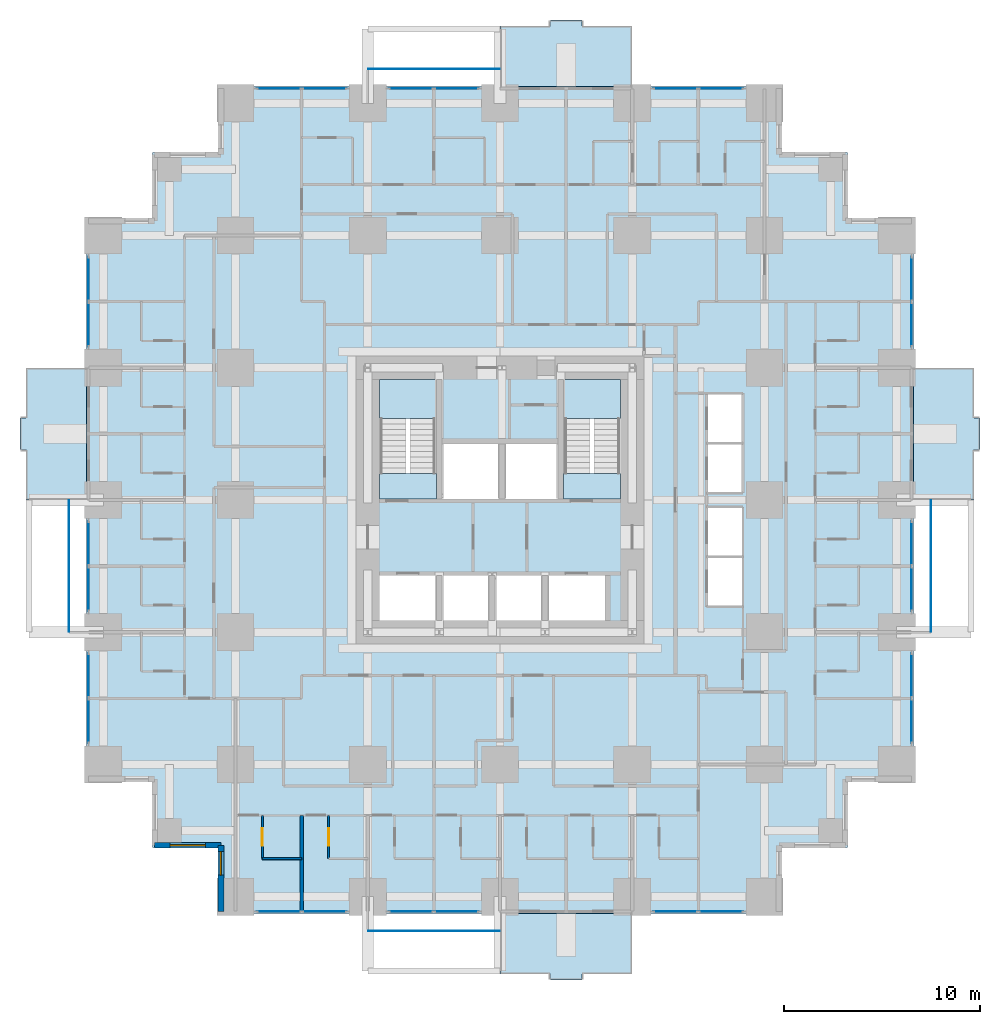
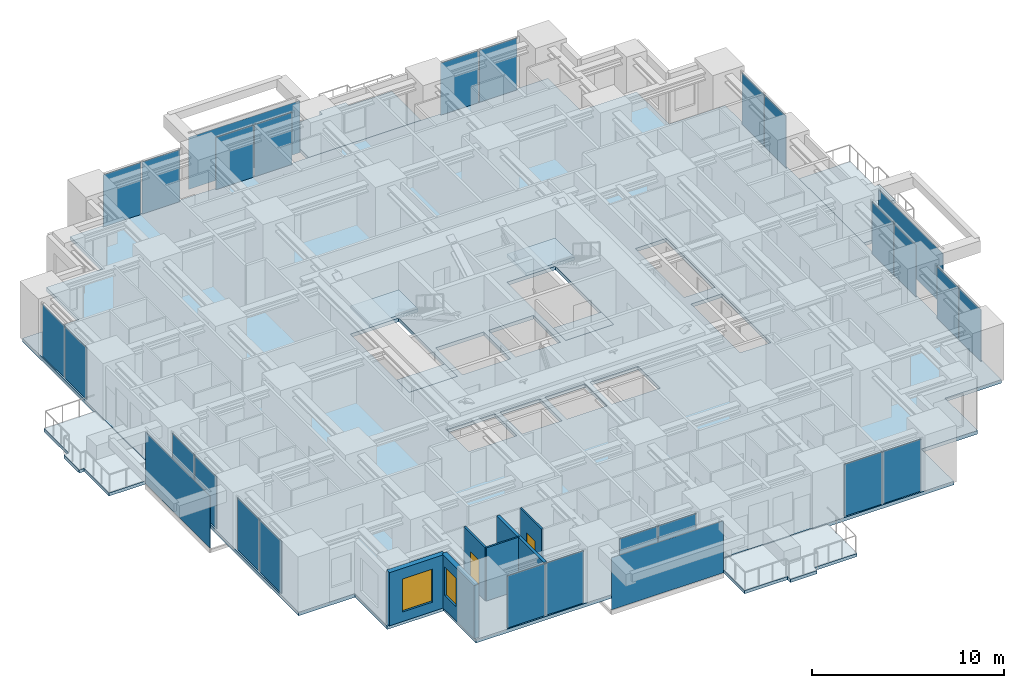
# One storey, part 7 of 15: 28 plates, 9 slabs, 6 walls, 2 doors, 2 windows, 4 openings, 14 elements without a shape of their own.
"""IFC4 building model written with IfcOpenShell, lengths in metres."""

from ifc_helpers import new_model, si_unit, direction, frame, frame_2d, origin, origin_2d, place, context, subcontext, project, spatial, polyline, rectangle, outline, extrude, material, layer, layer_set, type_object, element, fill, aggregate, save


model = new_model("IFC4")

# Units and contexts
model_context = context("Model", 3, precision=1e-05, world=origin(), true_north=direction((0.0, 1.0)))
body_context = subcontext(model_context, "Body", "Model", "MODEL_VIEW")
ifc_project = project(units=[si_unit("LENGTHUNIT", "METRE"), si_unit("AREAUNIT", "SQUARE_METRE"), si_unit("VOLUMEUNIT", "CUBIC_METRE"), si_unit("PLANEANGLEUNIT", "RADIAN"), si_unit("MASSUNIT", "GRAM", prefix="KILO")], contexts=[model_context])

# Site, building, storey
site_placement = place(None, origin())
site = spatial("IfcSite", under=ifc_project, at=site_placement, CompositionType="ELEMENT")
building_placement = place(site_placement, origin())
building = spatial("IfcBuilding", under=site, at=building_placement, Name="Nyansa Garden Tower", CompositionType="ELEMENT")
storey_placement = place(building_placement, frame((0.0, 0.0, 36.0)))
storey = spatial("IfcBuildingStorey", under=building, at=storey_placement, Name="L09", CompositionType="ELEMENT", Elevation=36.0)

# Slabs
ifc_material_1 = material(Name="Concrete C40/50", Category="concrete")
ifc_layer_1 = layer(ifc_material_1, 0.199951171875)
ifc_layer_set_1 = layer_set([ifc_layer_1], Name="Balcony slab BS200")
slab_type_1 = type_object("IfcSlabType", Name="Balcony slab BS200", PredefinedType="FLOOR", material=ifc_layer_set_1)
slab_1_placement = place(storey_placement, frame((0.0, 0.0, -0.239990234375)))
element("IfcSlab", 1, at=slab_1_placement, inside=storey, type_object=slab_type_1, Name="Balcony L09 S", PredefinedType="FLOOR", context=body_context, shape_type="SweptSolid", body=[
    extrude(outline(polyline([(20.25, -0.85009765625), (27.0, -0.85009765625), (27.0, -3.949951171875), (24.425048828125, -3.949951171875), (24.425048828125, -4.25), (22.824951171875, -4.25), (22.824951171875, -3.949951171875), (20.25, -3.949951171875), (20.25, -0.85009765625)])), origin(), (0.0, 0.0, 1.0), 0.199951171875),
])
slab_2_placement = place(storey_placement, frame((0.0, 0.0, -0.239990234375)))
element("IfcSlab", 2, at=slab_2_placement, inside=storey, type_object=slab_type_1, Name="Balcony L09 E", PredefinedType="FLOOR", context=body_context, shape_type="SweptSolid", body=[
    extrude(outline(polyline([(41.35009765625, 20.25), (41.35009765625, 27.0), (44.449951171875, 27.0), (44.449951171875, 24.425048828125), (44.75, 24.425048828125), (44.75, 22.824951171875), (44.449951171875, 22.824951171875), (44.449951171875, 20.25), (41.35009765625, 20.25)])), origin(), (0.0, 0.0, 1.0), 0.199951171875),
])
slab_3_placement = place(storey_placement, frame((0.0, 0.0, -0.239990234375)))
element("IfcSlab", 3, at=slab_3_placement, inside=storey, type_object=slab_type_1, Name="Balcony L09 N", PredefinedType="FLOOR", context=body_context, shape_type="SweptSolid", body=[
    extrude(outline(polyline([(20.25, 41.35009765625), (27.0, 41.35009765625), (27.0, 44.449951171875), (24.425048828125, 44.449951171875), (24.425048828125, 44.75), (22.824951171875, 44.75), (22.824951171875, 44.449951171875), (20.25, 44.449951171875), (20.25, 41.35009765625)])), origin(), (0.0, 0.0, 1.0), 0.199951171875),
])
slab_4_placement = place(storey_placement, frame((0.0, 0.0, -0.239990234375)))
element("IfcSlab", 4, at=slab_4_placement, inside=storey, type_object=slab_type_1, Name="Balcony L09 W", PredefinedType="FLOOR", context=body_context, shape_type="SweptSolid", body=[
    extrude(outline(polyline([(-0.85009765625, 20.25), (-0.85009765625, 27.0), (-3.949951171875, 27.0), (-3.949951171875, 24.425048828125), (-4.25, 24.425048828125), (-4.25, 22.824951171875), (-3.949951171875, 22.824951171875), (-3.949951171875, 20.25), (-0.85009765625, 20.25)])), origin(), (0.0, 0.0, 1.0), 0.199951171875),
])

# Curtain wall, plates
ifc_material_2 = material(Name="Black anodised aluminium, dark tinted double glazing", Category="aluminium")
curtain_wall_type = type_object("IfcCurtainWallType", Name="Inner skin curtain wall ISW-A", PredefinedType="USERDEFINED", material=ifc_material_2)
curtain_wall_1_placement = place(storey_placement, origin())
curtain_wall_1 = element("IfcCurtainWall", 5, at=curtain_wall_1_placement, inside=storey, type_object=curtain_wall_type, Name="Inner skin curtain wall L09 E", ObjectType="UNITISED CURTAIN WALL", PredefinedType="USERDEFINED")
ifc_material_3 = material(Name="Dark tinted laminated double glazing", Category="glass")
ifc_layer_2 = layer(ifc_material_3, 0.031982421875)
ifc_layer_set_2 = layer_set([ifc_layer_2], Name="Dark tinted vision panel VP-A")
plate_type_1 = type_object("IfcPlateType", Name="Dark tinted vision panel VP-A", PredefinedType="CURTAIN_PANEL", material=ifc_layer_set_2)
plate_1_placement = place(storey_placement, frame((41.25, 8.96240234375, 0.0), z_axis=(0.0, 0.0, 1.0), x_axis=(0.0, 1.0, 0.0)))
plate_1 = element("IfcPlate", 6, at=plate_1_placement, type_object=plate_type_1, Name="ISW-A panel 1", PredefinedType="CURTAIN_PANEL", context=body_context, shape_type="SweptSolid", body=[
    extrude(rectangle(XDim=2.260009765625, YDim=0.031982421875, at=origin_2d()), origin(), (0.0, 0.0, 1.0), 3.31005859375),
])
plate_2_placement = place(storey_placement, frame((41.25, 11.28759765625, 0.0), z_axis=(0.0, 0.0, 1.0), x_axis=(0.0, 1.0, 0.0)))
plate_2 = element("IfcPlate", 7, at=plate_2_placement, type_object=plate_type_1, Name="ISW-A panel 2", PredefinedType="CURTAIN_PANEL", context=body_context, shape_type="SweptSolid", body=[
    extrude(rectangle(XDim=2.260009765625, YDim=0.031982421875, at=origin_2d()), origin(), (0.0, 0.0, 1.0), 3.31005859375),
])
aggregate(curtain_wall_1, [plate_1, plate_2])

curtain_wall_2_placement = place(storey_placement, origin())
curtain_wall_2 = element("IfcCurtainWall", 8, at=curtain_wall_2_placement, inside=storey, type_object=curtain_wall_type, Name="Inner skin curtain wall L09 E", ObjectType="UNITISED CURTAIN WALL", PredefinedType="USERDEFINED")
plate_3_placement = place(storey_placement, frame((41.25, 15.71240234375, 0.0), z_axis=(0.0, 0.0, 1.0), x_axis=(0.0, 1.0, 0.0)))
plate_3 = element("IfcPlate", 9, at=plate_3_placement, type_object=plate_type_1, Name="ISW-A panel 1", PredefinedType="CURTAIN_PANEL", context=body_context, shape_type="SweptSolid", body=[
    extrude(rectangle(XDim=2.260009765625, YDim=0.031982421875, at=origin_2d()), origin(), (0.0, 0.0, 1.0), 3.31005859375),
])
plate_4_placement = place(storey_placement, frame((41.25, 18.03759765625, 0.0), z_axis=(0.0, 0.0, 1.0), x_axis=(0.0, 1.0, 0.0)))
plate_4 = element("IfcPlate", 10, at=plate_4_placement, type_object=plate_type_1, Name="ISW-A panel 2", PredefinedType="CURTAIN_PANEL", context=body_context, shape_type="SweptSolid", body=[
    extrude(rectangle(XDim=2.260009765625, YDim=0.031982421875, at=origin_2d()), origin(), (0.0, 0.0, 1.0), 3.31005859375),
])
aggregate(curtain_wall_2, [plate_3, plate_4])

curtain_wall_3_placement = place(storey_placement, origin())
curtain_wall_3 = element("IfcCurtainWall", 11, at=curtain_wall_3_placement, inside=storey, type_object=curtain_wall_type, Name="Inner skin curtain wall L09 E", ObjectType="UNITISED CURTAIN WALL", PredefinedType="USERDEFINED")
plate_5_placement = place(storey_placement, frame((41.25, 29.21240234375, 0.0), z_axis=(0.0, 0.0, 1.0), x_axis=(0.0, 1.0, 0.0)))
plate_5 = element("IfcPlate", 12, at=plate_5_placement, type_object=plate_type_1, Name="ISW-A panel 1", PredefinedType="CURTAIN_PANEL", context=body_context, shape_type="SweptSolid", body=[
    extrude(rectangle(XDim=2.260009765625, YDim=0.031982421875, at=origin_2d()), origin(), (0.0, 0.0, 1.0), 3.31005859375),
])
plate_6_placement = place(storey_placement, frame((41.25, 31.53759765625, 0.0), z_axis=(0.0, 0.0, 1.0), x_axis=(0.0, 1.0, 0.0)))
plate_6 = element("IfcPlate", 13, at=plate_6_placement, type_object=plate_type_1, Name="ISW-A panel 2", PredefinedType="CURTAIN_PANEL", context=body_context, shape_type="SweptSolid", body=[
    extrude(rectangle(XDim=2.260009765625, YDim=0.031982421875, at=origin_2d()), origin(), (0.0, 0.0, 1.0), 3.31005859375),
])
aggregate(curtain_wall_3, [plate_5, plate_6])

curtain_wall_4_placement = place(storey_placement, origin())
curtain_wall_4 = element("IfcCurtainWall", 14, at=curtain_wall_4_placement, inside=storey, type_object=curtain_wall_type, Name="Inner skin curtain wall L09 N", ObjectType="UNITISED CURTAIN WALL", PredefinedType="USERDEFINED")
plate_7_placement = place(storey_placement, frame((18.03759765625, 41.25, 0.0), z_axis=(0.0, 0.0, 1.0), x_axis=(-1.0, 0.0, 0.0)))
plate_7 = element("IfcPlate", 15, at=plate_7_placement, type_object=plate_type_1, Name="ISW-A panel 1", PredefinedType="CURTAIN_PANEL", context=body_context, shape_type="SweptSolid", body=[
    extrude(rectangle(XDim=2.260009765625, YDim=0.031982421875, at=origin_2d()), origin(), (0.0, 0.0, 1.0), 3.31005859375),
])
plate_8_placement = place(storey_placement, frame((15.71240234375, 41.25, 0.0), z_axis=(0.0, 0.0, 1.0), x_axis=(-1.0, 0.0, 0.0)))
plate_8 = element("IfcPlate", 16, at=plate_8_placement, type_object=plate_type_1, Name="ISW-A panel 2", PredefinedType="CURTAIN_PANEL", context=body_context, shape_type="SweptSolid", body=[
    extrude(rectangle(XDim=2.260009765625, YDim=0.031982421875, at=origin_2d()), origin(), (0.0, 0.0, 1.0), 3.31005859375),
])
aggregate(curtain_wall_4, [plate_7, plate_8])

curtain_wall_5_placement = place(storey_placement, origin())
curtain_wall_5 = element("IfcCurtainWall", 17, at=curtain_wall_5_placement, inside=storey, type_object=curtain_wall_type, Name="Inner skin curtain wall L09 N", ObjectType="UNITISED CURTAIN WALL", PredefinedType="USERDEFINED")
plate_9_placement = place(storey_placement, frame((11.28759765625, 41.25, 0.0), z_axis=(0.0, 0.0, 1.0), x_axis=(-1.0, 0.0, 0.0)))
plate_9 = element("IfcPlate", 18, at=plate_9_placement, type_object=plate_type_1, Name="ISW-A panel 1", PredefinedType="CURTAIN_PANEL", context=body_context, shape_type="SweptSolid", body=[
    extrude(rectangle(XDim=2.260009765625, YDim=0.031982421875, at=origin_2d()), origin(), (0.0, 0.0, 1.0), 3.31005859375),
])
plate_10_placement = place(storey_placement, frame((8.96240234375, 41.25, 0.0), z_axis=(0.0, 0.0, 1.0), x_axis=(-1.0, 0.0, 0.0)))
plate_10 = element("IfcPlate", 19, at=plate_10_placement, type_object=plate_type_1, Name="ISW-A panel 2", PredefinedType="CURTAIN_PANEL", context=body_context, shape_type="SweptSolid", body=[
    extrude(rectangle(XDim=2.260009765625, YDim=0.031982421875, at=origin_2d()), origin(), (0.0, 0.0, 1.0), 3.31005859375),
])
aggregate(curtain_wall_5, [plate_9, plate_10])

curtain_wall_6_placement = place(storey_placement, origin())
curtain_wall_6 = element("IfcCurtainWall", 20, at=curtain_wall_6_placement, inside=storey, type_object=curtain_wall_type, Name="Inner skin curtain wall L09 N", ObjectType="UNITISED CURTAIN WALL", PredefinedType="USERDEFINED")
plate_11_placement = place(storey_placement, frame((31.53759765625, 41.25, 0.0), z_axis=(0.0, 0.0, 1.0), x_axis=(-1.0, 0.0, 0.0)))
plate_11 = element("IfcPlate", 21, at=plate_11_placement, type_object=plate_type_1, Name="ISW-A panel 1", PredefinedType="CURTAIN_PANEL", context=body_context, shape_type="SweptSolid", body=[
    extrude(rectangle(XDim=2.260009765625, YDim=0.031982421875, at=origin_2d()), origin(), (0.0, 0.0, 1.0), 3.31005859375),
])
plate_12_placement = place(storey_placement, frame((29.21240234375, 41.25, 0.0), z_axis=(0.0, 0.0, 1.0), x_axis=(-1.0, 0.0, 0.0)))
plate_12 = element("IfcPlate", 22, at=plate_12_placement, type_object=plate_type_1, Name="ISW-A panel 2", PredefinedType="CURTAIN_PANEL", context=body_context, shape_type="SweptSolid", body=[
    extrude(rectangle(XDim=2.260009765625, YDim=0.031982421875, at=origin_2d()), origin(), (0.0, 0.0, 1.0), 3.31005859375),
])
aggregate(curtain_wall_6, [plate_11, plate_12])

curtain_wall_7_placement = place(storey_placement, origin())
curtain_wall_7 = element("IfcCurtainWall", 23, at=curtain_wall_7_placement, inside=storey, type_object=curtain_wall_type, Name="Inner skin curtain wall L09 W", ObjectType="UNITISED CURTAIN WALL", PredefinedType="USERDEFINED")
plate_13_placement = place(storey_placement, frame((-0.75, 18.03759765625, 0.0), z_axis=(0.0, 0.0, 1.0), x_axis=(0.0, -1.0, 0.0)))
plate_13 = element("IfcPlate", 24, at=plate_13_placement, type_object=plate_type_1, Name="ISW-A panel 1", PredefinedType="CURTAIN_PANEL", context=body_context, shape_type="SweptSolid", body=[
    extrude(rectangle(XDim=2.260009765625, YDim=0.031982421875, at=origin_2d()), origin(), (0.0, 0.0, 1.0), 3.31005859375),
])
plate_14_placement = place(storey_placement, frame((-0.75, 15.71240234375, 0.0), z_axis=(0.0, 0.0, 1.0), x_axis=(0.0, -1.0, 0.0)))
plate_14 = element("IfcPlate", 25, at=plate_14_placement, type_object=plate_type_1, Name="ISW-A panel 2", PredefinedType="CURTAIN_PANEL", context=body_context, shape_type="SweptSolid", body=[
    extrude(rectangle(XDim=2.260009765625, YDim=0.031982421875, at=origin_2d()), origin(), (0.0, 0.0, 1.0), 3.31005859375),
])
aggregate(curtain_wall_7, [plate_13, plate_14])

curtain_wall_8_placement = place(storey_placement, origin())
curtain_wall_8 = element("IfcCurtainWall", 26, at=curtain_wall_8_placement, inside=storey, type_object=curtain_wall_type, Name="Inner skin curtain wall L09 W", ObjectType="UNITISED CURTAIN WALL", PredefinedType="USERDEFINED")
plate_15_placement = place(storey_placement, frame((-0.75, 11.28759765625, 0.0), z_axis=(0.0, 0.0, 1.0), x_axis=(0.0, -1.0, 0.0)))
plate_15 = element("IfcPlate", 27, at=plate_15_placement, type_object=plate_type_1, Name="ISW-A panel 1", PredefinedType="CURTAIN_PANEL", context=body_context, shape_type="SweptSolid", body=[
    extrude(rectangle(XDim=2.260009765625, YDim=0.031982421875, at=origin_2d()), origin(), (0.0, 0.0, 1.0), 3.31005859375),
])
plate_16_placement = place(storey_placement, frame((-0.75, 8.96240234375, 0.0), z_axis=(0.0, 0.0, 1.0), x_axis=(0.0, -1.0, 0.0)))
plate_16 = element("IfcPlate", 28, at=plate_16_placement, type_object=plate_type_1, Name="ISW-A panel 2", PredefinedType="CURTAIN_PANEL", context=body_context, shape_type="SweptSolid", body=[
    extrude(rectangle(XDim=2.260009765625, YDim=0.031982421875, at=origin_2d()), origin(), (0.0, 0.0, 1.0), 3.31005859375),
])
aggregate(curtain_wall_8, [plate_15, plate_16])

curtain_wall_9_placement = place(storey_placement, origin())
curtain_wall_9 = element("IfcCurtainWall", 29, at=curtain_wall_9_placement, inside=storey, type_object=curtain_wall_type, Name="Inner skin curtain wall L09 W", ObjectType="UNITISED CURTAIN WALL", PredefinedType="USERDEFINED")
plate_17_placement = place(storey_placement, frame((-0.75, 31.53759765625, 0.0), z_axis=(0.0, 0.0, 1.0), x_axis=(0.0, -1.0, 0.0)))
plate_17 = element("IfcPlate", 30, at=plate_17_placement, type_object=plate_type_1, Name="ISW-A panel 1", PredefinedType="CURTAIN_PANEL", context=body_context, shape_type="SweptSolid", body=[
    extrude(rectangle(XDim=2.260009765625, YDim=0.031982421875, at=origin_2d()), origin(), (0.0, 0.0, 1.0), 3.31005859375),
])
plate_18_placement = place(storey_placement, frame((-0.75, 29.21240234375, 0.0), z_axis=(0.0, 0.0, 1.0), x_axis=(0.0, -1.0, 0.0)))
plate_18 = element("IfcPlate", 31, at=plate_18_placement, type_object=plate_type_1, Name="ISW-A panel 2", PredefinedType="CURTAIN_PANEL", context=body_context, shape_type="SweptSolid", body=[
    extrude(rectangle(XDim=2.260009765625, YDim=0.031982421875, at=origin_2d()), origin(), (0.0, 0.0, 1.0), 3.31005859375),
])
aggregate(curtain_wall_9, [plate_17, plate_18])

curtain_wall_10_placement = place(storey_placement, origin())
curtain_wall_10 = element("IfcCurtainWall", 32, at=curtain_wall_10_placement, inside=storey, type_object=curtain_wall_type, Name="Inner skin curtain wall L09 S", ObjectType="UNITISED CURTAIN WALL", PredefinedType="USERDEFINED")
plate_19_placement = place(storey_placement, frame((8.96240234375, -0.75, 0.0), z_axis=(0.0, 0.0, 1.0), x_axis=(1.0, 0.0, 0.0)))
plate_19 = element("IfcPlate", 33, at=plate_19_placement, type_object=plate_type_1, Name="ISW-A panel 1", PredefinedType="CURTAIN_PANEL", context=body_context, shape_type="SweptSolid", body=[
    extrude(rectangle(XDim=2.260009765625, YDim=0.031982421875, at=origin_2d()), origin(), (0.0, 0.0, 1.0), 3.31005859375),
])
plate_20_placement = place(storey_placement, frame((11.28759765625, -0.75, 0.0), z_axis=(0.0, 0.0, 1.0), x_axis=(1.0, 0.0, 0.0)))
plate_20 = element("IfcPlate", 34, at=plate_20_placement, type_object=plate_type_1, Name="ISW-A panel 2", PredefinedType="CURTAIN_PANEL", context=body_context, shape_type="SweptSolid", body=[
    extrude(rectangle(XDim=2.260009765625, YDim=0.031982421875, at=origin_2d()), origin(), (0.0, 0.0, 1.0), 3.31005859375),
])
aggregate(curtain_wall_10, [plate_19, plate_20])

curtain_wall_11_placement = place(storey_placement, origin())
curtain_wall_11 = element("IfcCurtainWall", 35, at=curtain_wall_11_placement, inside=storey, type_object=curtain_wall_type, Name="Inner skin curtain wall L09 S", ObjectType="UNITISED CURTAIN WALL", PredefinedType="USERDEFINED")
plate_21_placement = place(storey_placement, frame((15.71240234375, -0.75, 0.0), z_axis=(0.0, 0.0, 1.0), x_axis=(1.0, 0.0, 0.0)))
plate_21 = element("IfcPlate", 36, at=plate_21_placement, type_object=plate_type_1, Name="ISW-A panel 1", PredefinedType="CURTAIN_PANEL", context=body_context, shape_type="SweptSolid", body=[
    extrude(rectangle(XDim=2.260009765625, YDim=0.031982421875, at=origin_2d()), origin(), (0.0, 0.0, 1.0), 3.31005859375),
])
plate_22_placement = place(storey_placement, frame((18.03759765625, -0.75, 0.0), z_axis=(0.0, 0.0, 1.0), x_axis=(1.0, 0.0, 0.0)))
plate_22 = element("IfcPlate", 37, at=plate_22_placement, type_object=plate_type_1, Name="ISW-A panel 2", PredefinedType="CURTAIN_PANEL", context=body_context, shape_type="SweptSolid", body=[
    extrude(rectangle(XDim=2.260009765625, YDim=0.031982421875, at=origin_2d()), origin(), (0.0, 0.0, 1.0), 3.31005859375),
])
aggregate(curtain_wall_11, [plate_21, plate_22])

curtain_wall_12_placement = place(storey_placement, origin())
curtain_wall_12 = element("IfcCurtainWall", 38, at=curtain_wall_12_placement, inside=storey, type_object=curtain_wall_type, Name="Inner skin curtain wall L09 S", ObjectType="UNITISED CURTAIN WALL", PredefinedType="USERDEFINED")
plate_23_placement = place(storey_placement, frame((29.21240234375, -0.75, 0.0), z_axis=(0.0, 0.0, 1.0), x_axis=(1.0, 0.0, 0.0)))
plate_23 = element("IfcPlate", 39, at=plate_23_placement, type_object=plate_type_1, Name="ISW-A panel 1", PredefinedType="CURTAIN_PANEL", context=body_context, shape_type="SweptSolid", body=[
    extrude(rectangle(XDim=2.260009765625, YDim=0.031982421875, at=origin_2d()), origin(), (0.0, 0.0, 1.0), 3.31005859375),
])
plate_24_placement = place(storey_placement, frame((31.53759765625, -0.75, 0.0), z_axis=(0.0, 0.0, 1.0), x_axis=(1.0, 0.0, 0.0)))
plate_24 = element("IfcPlate", 40, at=plate_24_placement, type_object=plate_type_1, Name="ISW-A panel 2", PredefinedType="CURTAIN_PANEL", context=body_context, shape_type="SweptSolid", body=[
    extrude(rectangle(XDim=2.260009765625, YDim=0.031982421875, at=origin_2d()), origin(), (0.0, 0.0, 1.0), 3.31005859375),
])
aggregate(curtain_wall_12, [plate_23, plate_24])

# Slab
ifc_material_4 = material(Name="Concrete C40/50", Category="concrete")
ifc_layer_3 = layer(ifc_material_4, 0.22509765625)
ifc_layer_set_3 = layer_set([ifc_layer_3], Name="Floor slab FS225")
slab_type_2 = type_object("IfcSlabType", Name="Floor slab FS225", PredefinedType="FLOOR", material=ifc_layer_set_3)
slab_5_placement = place(storey_placement, frame((0.0, 0.0, -0.22509765625)))
element("IfcSlab", 41, at=slab_5_placement, inside=storey, type_object=slab_type_2, Name="Floor slab L09", PredefinedType="FLOOR", context=body_context, shape_type="SweptSolid", body=[
    extrude(outline(polyline([(41.35009765625, 5.89990234375), (37.97509765625, 5.89990234375), (37.97509765625, 2.52490234375), (34.60009765625, 2.52490234375), (34.60009765625, -0.85009765625), (5.89990234375, -0.85009765625), (5.89990234375, 2.52490234375), (2.52490234375, 2.52490234375), (2.52490234375, 5.89990234375), (-0.85009765625, 5.89990234375), (-0.85009765625, 34.60009765625), (2.52490234375, 34.60009765625), (2.52490234375, 37.97509765625), (5.89990234375, 37.97509765625), (5.89990234375, 41.35009765625), (34.60009765625, 41.35009765625), (34.60009765625, 37.97509765625), (37.97509765625, 37.97509765625), (37.97509765625, 34.60009765625), (41.35009765625, 34.60009765625), (41.35009765625, 5.89990234375)]), holes=[polyline([(14.10009765625, 14.10009765625), (17.0, 14.10009765625), (17.0, 16.39990234375), (14.10009765625, 16.39990234375), (14.10009765625, 14.10009765625)]), polyline([(17.300048828125, 14.10009765625), (19.699951171875, 14.10009765625), (19.699951171875, 16.39990234375), (17.300048828125, 16.39990234375), (17.300048828125, 14.10009765625)]), polyline([(20.0, 14.10009765625), (22.39990234375, 14.10009765625), (22.39990234375, 16.39990234375), (20.0, 16.39990234375), (20.0, 14.10009765625)]), polyline([(22.699951171875, 14.10009765625), (25.60009765625, 14.10009765625), (25.60009765625, 16.39990234375), (22.699951171875, 16.39990234375), (22.699951171875, 14.10009765625)]), polyline([(17.300048828125, 20.300048828125), (20.199951171875, 20.300048828125), (20.199951171875, 23.10009765625), (17.300048828125, 23.10009765625), (17.300048828125, 20.300048828125)]), polyline([(20.5, 20.300048828125), (23.199951171875, 20.300048828125), (23.199951171875, 23.10009765625), (20.5, 23.10009765625), (20.5, 20.300048828125)]), polyline([(30.800048828125, 14.800048828125), (32.64990234375, 14.800048828125), (32.64990234375, 19.89990234375), (30.800048828125, 19.89990234375), (30.800048828125, 14.800048828125)]), polyline([(30.800048828125, 20.60009765625), (32.64990234375, 20.60009765625), (32.64990234375, 25.699951171875), (30.800048828125, 25.699951171875), (30.800048828125, 20.60009765625)]), polyline([(14.10009765625, 20.300048828125), (17.0, 20.300048828125), (17.0, 26.39990234375), (14.10009765625, 26.39990234375), (14.10009765625, 20.300048828125)]), polyline([(23.5, 20.300048828125), (26.39990234375, 20.300048828125), (26.39990234375, 26.39990234375), (23.5, 26.39990234375), (23.5, 20.300048828125)])]), origin(), (0.0, 0.0, 1.0), 0.22509765625),
])

# Plates
ifc_material_5 = material(Name="Dark tinted laminated glass", Category="glass")
ifc_layer_4 = layer(ifc_material_5, 0.02392578125)
ifc_layer_set_4 = layer_set([ifc_layer_4], Name="Outer skin glass panel OS1")
plate_type_2 = type_object("IfcPlateType", Name="Outer skin glass panel OS1", PredefinedType="USERDEFINED", material=ifc_layer_set_4)
for number, where, z_axis, x_axis, name in (
    (42, (42.25, 16.875, -0.22509765625), (0.0, 0.0, 1.0), (0.0, 1.0, 0.0), "Outer skin glass panel L09"),
    (43, (16.875, 42.25, -0.22509765625), (0.0, 0.0, 1.0), (1.0, 0.0, 0.0), "Outer skin glass panel L09"),
    (44, (-1.75, 16.875, -0.22509765625), (0.0, 0.0, 1.0), (0.0, 1.0, 0.0), "Outer skin glass panel L09"),
    (45, (16.875, -1.75, -0.22509765625), (0.0, 0.0, 1.0), (1.0, 0.0, 0.0), "Outer skin glass panel L09"),
):
    element("IfcPlate", number, at=place(storey_placement, frame(where, z_axis=z_axis, x_axis=x_axis)), inside=storey, type_object=plate_type_2, Name=name, ObjectType="OUTER SKIN GLASS", PredefinedType="USERDEFINED", context=body_context, shape_type="SweptSolid", body=[
        extrude(rectangle(XDim=6.7099609375, YDim=0.02392578125, at=origin_2d()), origin(), (0.0, 0.0, 1.0), 3.300048828125),
    ])

# Stair, slabs
ifc_material_6 = material(Name="Precast concrete C40/50", Category="concrete")
stair_type_1 = type_object("IfcStairType", Name="Stair S1 164x280", PredefinedType="HALF_TURN_STAIR", material=ifc_material_6)
stair_1_placement = place(storey_placement, origin())
stair_1 = element("IfcStair", 46, at=stair_1_placement, inside=storey, type_object=stair_type_1, Name="Stair S1 L09", PredefinedType="HALF_TURN_STAIR")
ifc_material_7 = material(Name="Concrete C40/50", Category="concrete")
ifc_layer_5 = layer(ifc_material_7, 0.199951171875)
ifc_layer_set_5 = layer_set([ifc_layer_5], Name="Stair landing SL200")
slab_type_3 = type_object("IfcSlabType", Name="Stair landing SL200", PredefinedType="LANDING", material=ifc_layer_set_5)
slab_6_placement = place(storey_placement, frame((0.0, 0.0, -0.199951171875)))
slab_6 = element("IfcSlab", 47, at=slab_6_placement, type_object=slab_type_3, Name="S1 landing 1", PredefinedType="LANDING", context=body_context, shape_type="SweptSolid", body=[
    extrude(outline(polyline([(14.10009765625, 20.300048828125), (17.0, 20.300048828125), (17.0, 21.60009765625), (14.10009765625, 21.60009765625), (14.10009765625, 20.300048828125)])), origin(), (0.0, 0.0, 1.0), 0.199951171875),
])
slab_7_placement = place(storey_placement, frame((0.0, 0.0, 1.60009765625)))
slab_7 = element("IfcSlab", 48, at=slab_7_placement, type_object=slab_type_3, Name="S1 landing 2", PredefinedType="LANDING", context=body_context, shape_type="SweptSolid", body=[
    extrude(outline(polyline([(14.10009765625, 24.39990234375), (17.0, 24.39990234375), (17.0, 26.39990234375), (14.10009765625, 26.39990234375), (14.10009765625, 24.39990234375)])), origin(), (0.0, 0.0, 1.0), 0.199951171875),
])
aggregate(stair_1, [slab_6, slab_7])

ifc_material_8 = material(Name="Precast concrete C40/50", Category="concrete")
stair_type_2 = type_object("IfcStairType", Name="Stair S2 164x280", PredefinedType="HALF_TURN_STAIR", material=ifc_material_8)
stair_2_placement = place(storey_placement, origin())
stair_2 = element("IfcStair", 49, at=stair_2_placement, inside=storey, type_object=stair_type_2, Name="Stair S2 L09", PredefinedType="HALF_TURN_STAIR")
slab_8_placement = place(storey_placement, frame((0.0, 0.0, -0.199951171875)))
slab_8 = element("IfcSlab", 50, at=slab_8_placement, type_object=slab_type_3, Name="S2 landing 1", PredefinedType="LANDING", context=body_context, shape_type="SweptSolid", body=[
    extrude(outline(polyline([(23.5, 20.300048828125), (26.39990234375, 20.300048828125), (26.39990234375, 21.60009765625), (23.5, 21.60009765625), (23.5, 20.300048828125)])), origin(), (0.0, 0.0, 1.0), 0.199951171875),
])
slab_9_placement = place(storey_placement, frame((0.0, 0.0, 1.60009765625)))
slab_9 = element("IfcSlab", 51, at=slab_9_placement, type_object=slab_type_3, Name="S2 landing 2", PredefinedType="LANDING", context=body_context, shape_type="SweptSolid", body=[
    extrude(outline(polyline([(23.5, 24.39990234375), (26.39990234375, 24.39990234375), (26.39990234375, 26.39990234375), (23.5, 26.39990234375), (23.5, 24.39990234375)])), origin(), (0.0, 0.0, 1.0), 0.199951171875),
])
aggregate(stair_2, [slab_8, slab_9])

# Wall
ifc_material_9 = material(Name="Dense blockwork, plastered both sides, 55 dB", Category="masonry")
ifc_layer_6 = layer(ifc_material_9, 0.175048828125)
ifc_layer_set_6 = layer_set([ifc_layer_6], Name="Acoustic party wall PW175")
wall_type_1 = type_object("IfcWallType", Name="Acoustic party wall PW175", PredefinedType="PARTITIONING", material=ifc_layer_set_6)
wall_1_placement = place(storey_placement, frame((10.125, -0.73388671875, 0.0), z_axis=(0.0, 0.0, 1.0), x_axis=(0.0, 1.0, 0.0)))
element("IfcWall", 52, at=wall_1_placement, inside=storey, type_object=wall_type_1, Name="Party wall", PredefinedType="PARTITIONING", context=body_context, shape_type="SweptSolid", body=[
    extrude(rectangle(XDim=4.8837890625, YDim=0.175048828125, at=frame_2d((2.44189453125, 0.0))), origin(), (0.0, 0.0, 1.0), 3.375),
])

# Wall, opening, window
ifc_material_10 = material(Name="Turquoise glazed tile on concrete blockwork", Category="masonry")
ifc_layer_7 = layer(ifc_material_10, 0.300048828125)
ifc_layer_set_7 = layer_set([ifc_layer_7], Name="Tiled corner wall TW300")
wall_type_2 = type_object("IfcWallType", Name="Tiled corner wall TW300", PredefinedType="SOLIDWALL", material=ifc_layer_set_7)
wall_2_placement = place(storey_placement, frame((2.625, 2.625, 0.0), z_axis=(0.0, 0.0, 1.0), x_axis=(1.0, 0.0, 0.0)))
wall_2 = element("IfcWall", 53, at=wall_2_placement, inside=storey, type_object=wall_type_2, Name="Tiled corner wall L09", PredefinedType="SOLIDWALL", context=body_context, shape_type="SweptSolid", body=[
    extrude(rectangle(XDim=3.375, YDim=0.300048828125, at=frame_2d((1.6875, 0.0))), origin(), (0.0, 0.0, 1.0), 3.375),
])
opening_1_placement = place(wall_2_placement, frame((0.78759765625, 0.0, 0.60009765625)))
opening_1 = element("IfcOpeningElement", 54, at=opening_1_placement, cuts=wall_2, Name="Opening W2", PredefinedType="OPENING", context=body_context, shape_type="SweptSolid", body=[
    extrude(rectangle(XDim=1.800048828125, YDim=2.10009765625, at=frame_2d((0.89990234375, 1.050048828125))), frame((0.0, 0.159912109375, 0.0), z_axis=(0.0, -1.0, 0.0), x_axis=(1.0, 0.0, 0.0)), (0.0, 0.0, 1.0), 0.320068359375),
])
ifc_material_11 = material(Name="Black aluminium frame, dark tinted double glazing", Category="aluminium")
window_type_1 = type_object("IfcWindowType", Name="Window W2 1800x2100", PartitioningType="SINGLE_PANEL", PredefinedType="WINDOW", material=ifc_material_11)
window_1_placement = place(opening_1_placement, origin())
window_1 = element("IfcWindow", 55, at=window_1_placement, inside=storey, type_object=window_type_1, Name="Corner window L09", OverallHeight=2.10009765625, OverallWidth=1.800048828125, PartitioningType="SINGLE_PANEL", PredefinedType="WINDOW", context=body_context, shape_type="SweptSolid", body=[
    extrude(rectangle(XDim=1.800048828125, YDim=2.10009765625, at=frame_2d((0.89990234375, 1.050048828125))), frame((0.0, 0.030029296875, 0.0), z_axis=(0.0, -1.0, 0.0), x_axis=(1.0, 0.0, 0.0)), (0.0, 0.0, 1.0), 0.06005859375),
])
fill(opening_1, window_1)

wall_3_placement = place(storey_placement, frame((6.0, 2.625, 0.0), z_axis=(0.0, 0.0, 1.0), x_axis=(0.0, -1.0, 0.0)))
wall_3 = element("IfcWall", 56, at=wall_3_placement, inside=storey, type_object=wall_type_2, Name="Tiled corner wall L09", PredefinedType="SOLIDWALL", context=body_context, shape_type="SweptSolid", body=[
    extrude(rectangle(XDim=3.375, YDim=0.300048828125, at=frame_2d((1.6875, 0.0))), origin(), (0.0, 0.0, 1.0), 3.375),
])
opening_2_placement = place(wall_3_placement, frame((0.3173828125, 0.0, 0.89990234375)))
opening_2 = element("IfcOpeningElement", 57, at=opening_2_placement, cuts=wall_3, Name="Opening W4", PredefinedType="OPENING", context=body_context, shape_type="SweptSolid", body=[
    extrude(rectangle(XDim=1.199951171875, YDim=1.800048828125, at=frame_2d((0.60009765625, 0.89990234375))), frame((0.0, 0.159912109375, 0.0), z_axis=(0.0, -1.0, 0.0), x_axis=(1.0, 0.0, 0.0)), (0.0, 0.0, 1.0), 0.320068359375),
])
ifc_material_12 = material(Name="Black aluminium frame, dark tinted double glazing", Category="aluminium")
window_type_2 = type_object("IfcWindowType", Name="Window W4 1200x1800", PartitioningType="SINGLE_PANEL", PredefinedType="WINDOW", material=ifc_material_12)
window_2_placement = place(opening_2_placement, origin())
window_2 = element("IfcWindow", 58, at=window_2_placement, inside=storey, type_object=window_type_2, Name="Corner window L09", OverallHeight=1.800048828125, OverallWidth=1.199951171875, PartitioningType="SINGLE_PANEL", PredefinedType="WINDOW", context=body_context, shape_type="SweptSolid", body=[
    extrude(rectangle(XDim=1.199951171875, YDim=1.800048828125, at=frame_2d((0.60009765625, 0.89990234375))), frame((0.0, 0.030029296875, 0.0), z_axis=(0.0, -1.0, 0.0), x_axis=(1.0, 0.0, 0.0)), (0.0, 0.0, 1.0), 0.06005859375),
])
fill(opening_2, window_2)

# Wall, opening, door
ifc_material_13 = material(Name="Moisture resistant board on steel studs, tiled", Category="steel")
ifc_layer_8 = layer(ifc_material_13, 0.10009765625)
ifc_layer_set_8 = layer_set([ifc_layer_8], Name="Wet wall PW100")
wall_type_3 = type_object("IfcWallType", Name="Wet wall PW100", PredefinedType="PARTITIONING", material=ifc_layer_set_8)
wall_4_placement = place(storey_placement, frame((8.125, 1.949951171875, 0.0), z_axis=(0.0, 0.0, 1.0), x_axis=(0.0, 1.0, 0.0)))
wall_4 = element("IfcWall", 59, at=wall_4_placement, inside=storey, type_object=wall_type_3, Name="Wet wall", PredefinedType="PARTITIONING", context=body_context, shape_type="SweptSolid", body=[
    extrude(rectangle(XDim=2.199951171875, YDim=0.10009765625, at=frame_2d((1.10009765625, 0.0))), origin(), (0.0, 0.0, 1.0), 3.375),
])
opening_3_placement = place(wall_4_placement, frame((0.64990234375, 0.0, 0.0)))
opening_3 = element("IfcOpeningElement", 60, at=opening_3_placement, cuts=wall_4, Name="Opening D02", PredefinedType="OPENING", context=body_context, shape_type="SweptSolid", body=[
    extrude(rectangle(XDim=0.89990234375, YDim=2.199951171875, at=frame_2d((0.449951171875, 1.10009765625))), frame((0.0, 0.06005859375, 0.0), z_axis=(0.0, -1.0, 0.0), x_axis=(1.0, 0.0, 0.0)), (0.0, 0.0, 1.0), 0.1201171875),
])
ifc_material_14 = material(Name="Timber flush door", Category="wood")
door_type = type_object("IfcDoorType", Name="En-suite door D02 900x2200", OperationType="SINGLE_SWING_RIGHT", PredefinedType="DOOR", material=ifc_material_14)
door_1_placement = place(opening_3_placement, origin())
door_1 = element("IfcDoor", 61, at=door_1_placement, inside=storey, type_object=door_type, Name="Door L09-020", OperationType="SINGLE_SWING_RIGHT", OverallHeight=2.199951171875, OverallWidth=0.89990234375, PredefinedType="DOOR", context=body_context, shape_type="SweptSolid", body=[
    extrude(rectangle(XDim=0.89990234375, YDim=2.199951171875, at=frame_2d((0.449951171875, 1.10009765625))), frame((0.0, 0.02490234375, 0.0), z_axis=(0.0, -1.0, 0.0), x_axis=(1.0, 0.0, 0.0)), (0.0, 0.0, 1.0), 0.050048828125),
])
fill(opening_3, door_1)

# Wall
wall_5_placement = place(storey_placement, frame((8.125, 1.949951171875, 0.0), z_axis=(0.0, 0.0, 1.0), x_axis=(1.0, 0.0, 0.0)))
element("IfcWall", 62, at=wall_5_placement, inside=storey, type_object=wall_type_3, Name="Wet wall", PredefinedType="PARTITIONING", context=body_context, shape_type="SweptSolid", body=[
    extrude(rectangle(XDim=2.0, YDim=0.10009765625, at=frame_2d((1.0, 0.0))), origin(), (0.0, 0.0, 1.0), 3.375),
])

# Wall, opening, door
wall_6_placement = place(storey_placement, frame((11.5, 1.949951171875, 0.0), z_axis=(0.0, 0.0, 1.0), x_axis=(0.0, 1.0, 0.0)))
wall_6 = element("IfcWall", 63, at=wall_6_placement, inside=storey, type_object=wall_type_3, Name="Wet wall", PredefinedType="PARTITIONING", context=body_context, shape_type="SweptSolid", body=[
    extrude(rectangle(XDim=2.199951171875, YDim=0.10009765625, at=frame_2d((1.10009765625, 0.0))), origin(), (0.0, 0.0, 1.0), 3.375),
])
opening_4_placement = place(wall_6_placement, frame((0.64990234375, 0.0, 0.0)))
opening_4 = element("IfcOpeningElement", 64, at=opening_4_placement, cuts=wall_6, Name="Opening D02", PredefinedType="OPENING", context=body_context, shape_type="SweptSolid", body=[
    extrude(rectangle(XDim=0.89990234375, YDim=2.199951171875, at=frame_2d((0.449951171875, 1.10009765625))), frame((0.0, 0.06005859375, 0.0), z_axis=(0.0, -1.0, 0.0), x_axis=(1.0, 0.0, 0.0)), (0.0, 0.0, 1.0), 0.1201171875),
])
door_2_placement = place(opening_4_placement, origin())
door_2 = element("IfcDoor", 65, at=door_2_placement, inside=storey, type_object=door_type, Name="Door L09-022", OperationType="SINGLE_SWING_RIGHT", OverallHeight=2.199951171875, OverallWidth=0.89990234375, PredefinedType="DOOR", context=body_context, shape_type="SweptSolid", body=[
    extrude(rectangle(XDim=0.89990234375, YDim=2.199951171875, at=frame_2d((0.449951171875, 1.10009765625))), frame((0.0, 0.02490234375, 0.0), z_axis=(0.0, -1.0, 0.0), x_axis=(1.0, 0.0, 0.0)), (0.0, 0.0, 1.0), 0.050048828125),
])
fill(opening_4, door_2)

save(model, "model.ifc")
